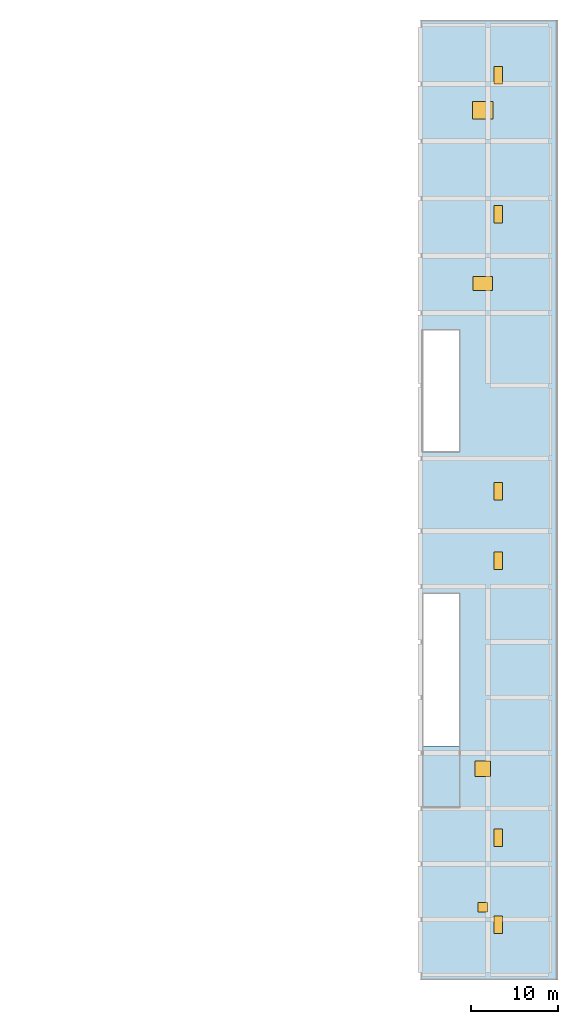
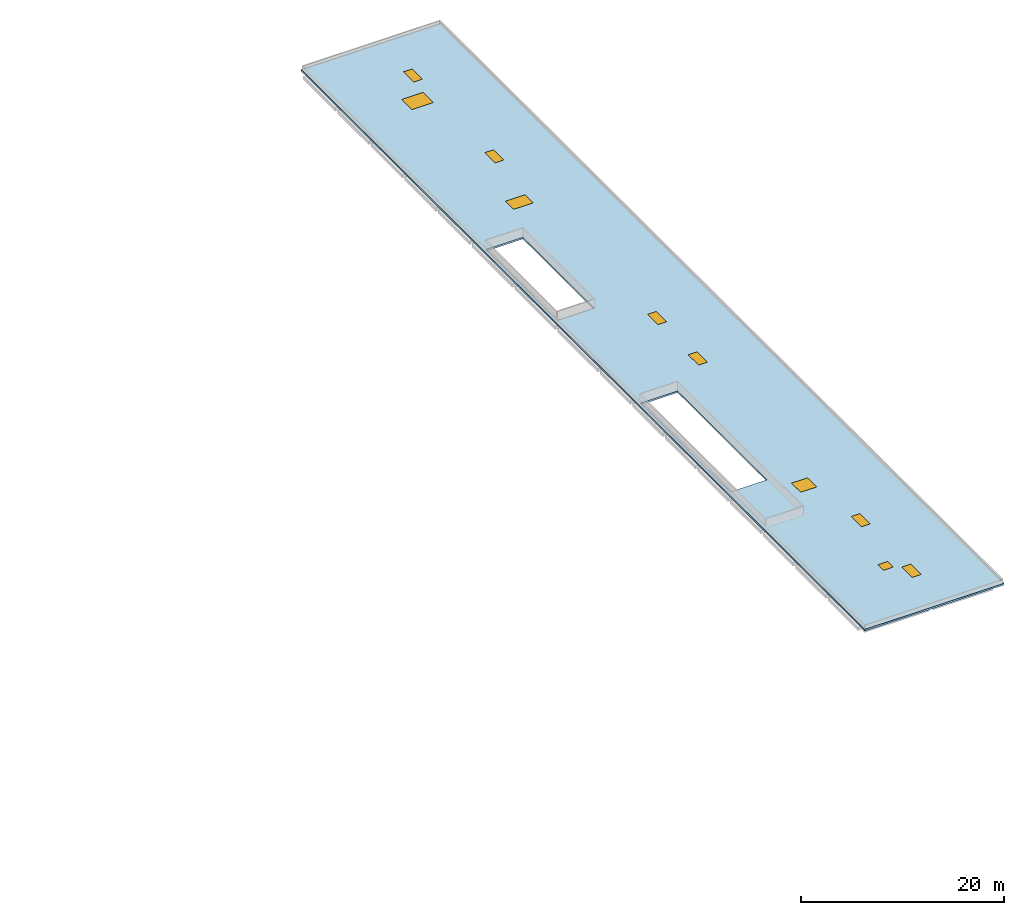
# One storey, part 10 of 24: 6 doors, 4 windows, 1 slab, 10 openings.
"""IFC4 building model written with IfcOpenShell, lengths in metres."""

from ifc_helpers import new_model, si_unit, derived_unit, direction, frame, origin, origin_2d, place, context, subcontext, project, spatial, polyline, rectangle, outline, extrude, material, layer, layer_set, type_object, element, fill, save


model = new_model("IFC4")

# Units and contexts
model_context = context("Model", 3, precision=1e-05, world=origin(), true_north=direction((0.0, 1.0)))
body_context = subcontext(model_context, "Body", "Model", "MODEL_VIEW")
ifc_project = project(units=[si_unit("LENGTHUNIT", "METRE"), si_unit("AREAUNIT", "SQUARE_METRE"), si_unit("VOLUMEUNIT", "CUBIC_METRE"), si_unit("PLANEANGLEUNIT", "RADIAN"), si_unit("MASSUNIT", "GRAM", prefix="KILO"), derived_unit("THERMALTRANSMITTANCEUNIT", [(si_unit("POWERUNIT", "WATT"), 1), (si_unit("LENGTHUNIT", "METRE"), -2), (si_unit("THERMODYNAMICTEMPERATUREUNIT", "KELVIN"), -1)])], contexts=[model_context])

# Site, building, storey
site_placement = place(None, origin())
site = spatial("IfcSite", under=ifc_project, at=site_placement, CompositionType="ELEMENT")
building_placement = place(site_placement, origin())
building = spatial("IfcBuilding", under=site, at=building_placement, Name="Braskholm Square Health Centre", CompositionType="ELEMENT")
storey_placement = place(building_placement, frame((0.0, 0.0, 21.60009765625)))
storey = spatial("IfcBuildingStorey", under=building, at=storey_placement, Name="L06", CompositionType="ELEMENT", Elevation=21.60009765625)

# Slab, openings, windows, doors
ifc_material_1 = material(Name="Precast concrete C40/50 architectural white", Category="concrete")
ifc_layer = layer(ifc_material_1, 0.2099609375)
ifc_layer_set = layer_set([ifc_layer], Name="Precast concrete C40/50 architectural white")
slab_type = type_object("IfcSlabType", Name="PitchedAndCrownRoofSlab150", PredefinedType="ROOF", material=ifc_layer_set)
slab_placement = place(storey_placement, frame((0.0, 0.0, -0.210205078125)))
slab = element("IfcSlab", 1, at=slab_placement, inside=storey, type_object=slab_type, Name="Level L06 V4E East wing thin flat crowning frame roof slab", PredefinedType="ROOF", context=body_context, shape_type="SweptSolid", body=[
    extrude(outline(polyline([(148.800048828125, 3.60009765625), (164.60009765625, 3.60009765625), (164.60009765625, 114.39990234375), (148.800048828125, 114.39990234375), (148.800048828125, 3.60009765625)]), holes=[polyline([(149.10009765625, 30.60009765625), (153.300048828125, 30.60009765625), (153.300048828125, 48.199951171875), (149.10009765625, 48.199951171875), (149.10009765625, 30.60009765625)]), polyline([(149.10009765625, 64.60009765625), (153.300048828125, 64.60009765625), (153.300048828125, 78.60009765625), (149.10009765625, 78.60009765625), (149.10009765625, 64.60009765625)])]), origin(), (0.0, 0.0, 1.0), 0.210205078125),
])
opening_1_placement = place(slab_placement, frame((156.0, 12.0, 0.0)))
opening_1 = element("IfcOpeningElement", 2, at=opening_1_placement, cuts=slab, Name="Opening RH-01", PredefinedType="OPENING", context=body_context, shape_type="SweptSolid", body=[
    extrude(rectangle(XDim=1.10009765625, YDim=1.10009765625, at=origin_2d()), frame((0.0, 0.0, -0.010009765625)), (0.0, 0.0, 1.0), 0.230224609375),
])
opening_2_placement = place(slab_placement, frame((156.0, 28.0, 0.0)))
opening_2 = element("IfcOpeningElement", 3, at=opening_2_placement, cuts=slab, Name="Opening SK-01", PredefinedType="OPENING", context=body_context, shape_type="SweptSolid", body=[
    extrude(rectangle(XDim=1.800048828125, YDim=1.800048828125, at=origin_2d()), frame((0.0, 0.0, -0.010009765625)), (0.0, 0.0, 1.0), 0.230224609375),
])
opening_3_placement = place(slab_placement, frame((156.0, 84.0, 0.0)))
opening_3 = element("IfcOpeningElement", 4, at=opening_3_placement, cuts=slab, Name="Opening SK-02", PredefinedType="OPENING", context=body_context, shape_type="SweptSolid", body=[
    extrude(rectangle(XDim=2.199951171875, YDim=1.60009765625, at=origin_2d()), frame((0.0, 0.0, -0.010009765625)), (0.0, 0.0, 1.0), 0.230224609375),
])
opening_4_placement = place(slab_placement, frame((156.0, 104.0, 0.0)))
opening_4 = element("IfcOpeningElement", 5, at=opening_4_placement, cuts=slab, Name="Opening SK-03", PredefinedType="OPENING", context=body_context, shape_type="SweptSolid", body=[
    extrude(rectangle(XDim=2.39990234375, YDim=2.0, at=origin_2d()), frame((0.0, 0.0, -0.010009765625)), (0.0, 0.0, 1.0), 0.230224609375),
])
opening_5_placement = place(slab_placement, frame((157.800048828125, 10.0, 0.0)))
opening_5 = element("IfcOpeningElement", 6, at=opening_5_placement, cuts=slab, Name="Opening TD-1", PredefinedType="OPENING", context=body_context, shape_type="SweptSolid", body=[
    extrude(rectangle(XDim=1.0, YDim=2.02001953125, at=origin_2d()), frame((0.0, 0.0, -0.010009765625)), (0.0, 0.0, 1.0), 0.230224609375),
])
opening_6_placement = place(slab_placement, frame((157.800048828125, 20.0, 0.0)))
opening_6 = element("IfcOpeningElement", 7, at=opening_6_placement, cuts=slab, Name="Opening TD-1", PredefinedType="OPENING", context=body_context, shape_type="SweptSolid", body=[
    extrude(rectangle(XDim=1.0, YDim=2.02001953125, at=origin_2d()), frame((0.0, 0.0, -0.010009765625)), (0.0, 0.0, 1.0), 0.230224609375),
])
opening_7_placement = place(slab_placement, frame((157.800048828125, 52.0, 0.0)))
opening_7 = element("IfcOpeningElement", 8, at=opening_7_placement, cuts=slab, Name="Opening TD-1", PredefinedType="OPENING", context=body_context, shape_type="SweptSolid", body=[
    extrude(rectangle(XDim=1.0, YDim=2.02001953125, at=origin_2d()), frame((0.0, 0.0, -0.010009765625)), (0.0, 0.0, 1.0), 0.230224609375),
])
opening_8_placement = place(slab_placement, frame((157.800048828125, 60.0, 0.0)))
opening_8 = element("IfcOpeningElement", 9, at=opening_8_placement, cuts=slab, Name="Opening TD-1", PredefinedType="OPENING", context=body_context, shape_type="SweptSolid", body=[
    extrude(rectangle(XDim=1.0, YDim=2.02001953125, at=origin_2d()), frame((0.0, 0.0, -0.010009765625)), (0.0, 0.0, 1.0), 0.230224609375),
])
opening_9_placement = place(slab_placement, frame((157.800048828125, 92.0, 0.0)))
opening_9 = element("IfcOpeningElement", 10, at=opening_9_placement, cuts=slab, Name="Opening TD-1", PredefinedType="OPENING", context=body_context, shape_type="SweptSolid", body=[
    extrude(rectangle(XDim=1.0, YDim=2.02001953125, at=origin_2d()), frame((0.0, 0.0, -0.010009765625)), (0.0, 0.0, 1.0), 0.230224609375),
])
opening_10_placement = place(slab_placement, frame((157.800048828125, 108.0, 0.0)))
opening_10 = element("IfcOpeningElement", 11, at=opening_10_placement, cuts=slab, Name="Opening TD-1", PredefinedType="OPENING", context=body_context, shape_type="SweptSolid", body=[
    extrude(rectangle(XDim=1.0, YDim=2.02001953125, at=origin_2d()), frame((0.0, 0.0, -0.010009765625)), (0.0, 0.0, 1.0), 0.230224609375),
])
ifc_material_2 = material(Name="Low-E triple insulating glass (VLT 0.64)", Category="glass")
window_type_1 = type_object("IfcWindowType", Name="SkylightConservatory2400x2000", PartitioningType="SINGLE_PANEL", PredefinedType="SKYLIGHT", material=ifc_material_2)
window_1_placement = place(opening_4_placement, frame((0.0, 0.0, 0.16015625)))
window_1 = element("IfcWindow", 12, at=window_1_placement, inside=storey, type_object=window_type_1, Name="Rooftop skylight 009", OverallHeight=2.0, OverallWidth=2.39990234375, PartitioningType="SINGLE_PANEL", PredefinedType="SKYLIGHT", context=body_context, shape_type="SweptSolid", body=[
    extrude(rectangle(XDim=2.39990234375, YDim=2.0, at=origin_2d()), origin(), (0.0, 0.0, 1.0), 0.050048828125),
])
fill(opening_4, window_1)
window_type_2 = type_object("IfcWindowType", Name="SkylightDaylightWell1800x1800", PartitioningType="SINGLE_PANEL", PredefinedType="SKYLIGHT", material=ifc_material_2)
window_2_placement = place(opening_2_placement, frame((0.0, 0.0, 0.16015625)))
window_2 = element("IfcWindow", 13, at=window_2_placement, inside=storey, type_object=window_type_2, Name="Rooftop skylight 007", OverallHeight=1.800048828125, OverallWidth=1.800048828125, PartitioningType="SINGLE_PANEL", PredefinedType="SKYLIGHT", context=body_context, shape_type="SweptSolid", body=[
    extrude(rectangle(XDim=1.800048828125, YDim=1.800048828125, at=origin_2d()), origin(), (0.0, 0.0, 1.0), 0.050048828125),
])
fill(opening_2, window_2)
window_type_3 = type_object("IfcWindowType", Name="SkylightDaylightWell2200x1600", PartitioningType="SINGLE_PANEL", PredefinedType="SKYLIGHT", material=ifc_material_2)
window_3_placement = place(opening_3_placement, frame((0.0, 0.0, 0.16015625)))
window_3 = element("IfcWindow", 14, at=window_3_placement, inside=storey, type_object=window_type_3, Name="Rooftop skylight 008", OverallHeight=1.60009765625, OverallWidth=2.199951171875, PartitioningType="SINGLE_PANEL", PredefinedType="SKYLIGHT", context=body_context, shape_type="SweptSolid", body=[
    extrude(rectangle(XDim=2.199951171875, YDim=1.60009765625, at=origin_2d()), origin(), (0.0, 0.0, 1.0), 0.050048828125),
])
fill(opening_3, window_3)
window_type_4 = type_object("IfcWindowType", Name="SkylightRoofHatch1100x1100", PartitioningType="SINGLE_PANEL", PredefinedType="SKYLIGHT", material=ifc_material_2)
window_4_placement = place(opening_1_placement, frame((0.0, 0.0, 0.16015625)))
window_4 = element("IfcWindow", 15, at=window_4_placement, inside=storey, type_object=window_type_4, Name="Rooftop skylight 006", OverallHeight=1.10009765625, OverallWidth=1.10009765625, PartitioningType="SINGLE_PANEL", PredefinedType="SKYLIGHT", context=body_context, shape_type="SweptSolid", body=[
    extrude(rectangle(XDim=1.10009765625, YDim=1.10009765625, at=origin_2d()), origin(), (0.0, 0.0, 1.0), 0.050048828125),
])
fill(opening_1, window_4)
ifc_material_3 = material(Name="Architectural bronze anodised aluminium", Category="aluminium")
door_type = type_object("IfcDoorType", Name="TrapdoorRoofAccess1000x2020", OperationType="NOTDEFINED", PredefinedType="TRAPDOOR", material=ifc_material_3)
door_1_placement = place(opening_5_placement, frame((0.0, 0.0, 0.16015625)))
door_1 = element("IfcDoor", 16, at=door_1_placement, inside=storey, type_object=door_type, Name="Main roof maintenance access trapdoor 01", OperationType="SINGLE_SWING_LEFT", OverallHeight=2.02001953125, OverallWidth=1.0, PredefinedType="TRAPDOOR", context=body_context, shape_type="SweptSolid", body=[
    extrude(rectangle(XDim=1.0, YDim=2.02001953125, at=origin_2d()), origin(), (0.0, 0.0, 1.0), 0.050048828125),
])
fill(opening_5, door_1)
door_2_placement = place(opening_6_placement, frame((0.0, 0.0, 0.16015625)))
door_2 = element("IfcDoor", 17, at=door_2_placement, inside=storey, type_object=door_type, Name="Main roof maintenance access trapdoor 02", OperationType="SINGLE_SWING_RIGHT", OverallHeight=2.02001953125, OverallWidth=1.0, PredefinedType="TRAPDOOR", context=body_context, shape_type="SweptSolid", body=[
    extrude(rectangle(XDim=1.0, YDim=2.02001953125, at=origin_2d()), origin(), (0.0, 0.0, 1.0), 0.050048828125),
])
fill(opening_6, door_2)
door_3_placement = place(opening_7_placement, frame((0.0, 0.0, 0.16015625)))
door_3 = element("IfcDoor", 18, at=door_3_placement, inside=storey, type_object=door_type, Name="Main roof maintenance access trapdoor 03", OperationType="SINGLE_SWING_LEFT", OverallHeight=2.02001953125, OverallWidth=1.0, PredefinedType="TRAPDOOR", context=body_context, shape_type="SweptSolid", body=[
    extrude(rectangle(XDim=1.0, YDim=2.02001953125, at=origin_2d()), origin(), (0.0, 0.0, 1.0), 0.050048828125),
])
fill(opening_7, door_3)
door_4_placement = place(opening_8_placement, frame((0.0, 0.0, 0.16015625)))
door_4 = element("IfcDoor", 19, at=door_4_placement, inside=storey, type_object=door_type, Name="Main roof maintenance access trapdoor 04", OperationType="SINGLE_SWING_RIGHT", OverallHeight=2.02001953125, OverallWidth=1.0, PredefinedType="TRAPDOOR", context=body_context, shape_type="SweptSolid", body=[
    extrude(rectangle(XDim=1.0, YDim=2.02001953125, at=origin_2d()), origin(), (0.0, 0.0, 1.0), 0.050048828125),
])
fill(opening_8, door_4)
door_5_placement = place(opening_9_placement, frame((0.0, 0.0, 0.16015625)))
door_5 = element("IfcDoor", 20, at=door_5_placement, inside=storey, type_object=door_type, Name="Main roof maintenance access trapdoor 05", OperationType="SINGLE_SWING_LEFT", OverallHeight=2.02001953125, OverallWidth=1.0, PredefinedType="TRAPDOOR", context=body_context, shape_type="SweptSolid", body=[
    extrude(rectangle(XDim=1.0, YDim=2.02001953125, at=origin_2d()), origin(), (0.0, 0.0, 1.0), 0.050048828125),
])
fill(opening_9, door_5)
door_6_placement = place(opening_10_placement, frame((0.0, 0.0, 0.16015625)))
door_6 = element("IfcDoor", 21, at=door_6_placement, inside=storey, type_object=door_type, Name="Main roof maintenance access trapdoor 06", OperationType="SINGLE_SWING_RIGHT", OverallHeight=2.02001953125, OverallWidth=1.0, PredefinedType="TRAPDOOR", context=body_context, shape_type="SweptSolid", body=[
    extrude(rectangle(XDim=1.0, YDim=2.02001953125, at=origin_2d()), origin(), (0.0, 0.0, 1.0), 0.050048828125),
])
fill(opening_10, door_6)

save(model, "model.ifc")
